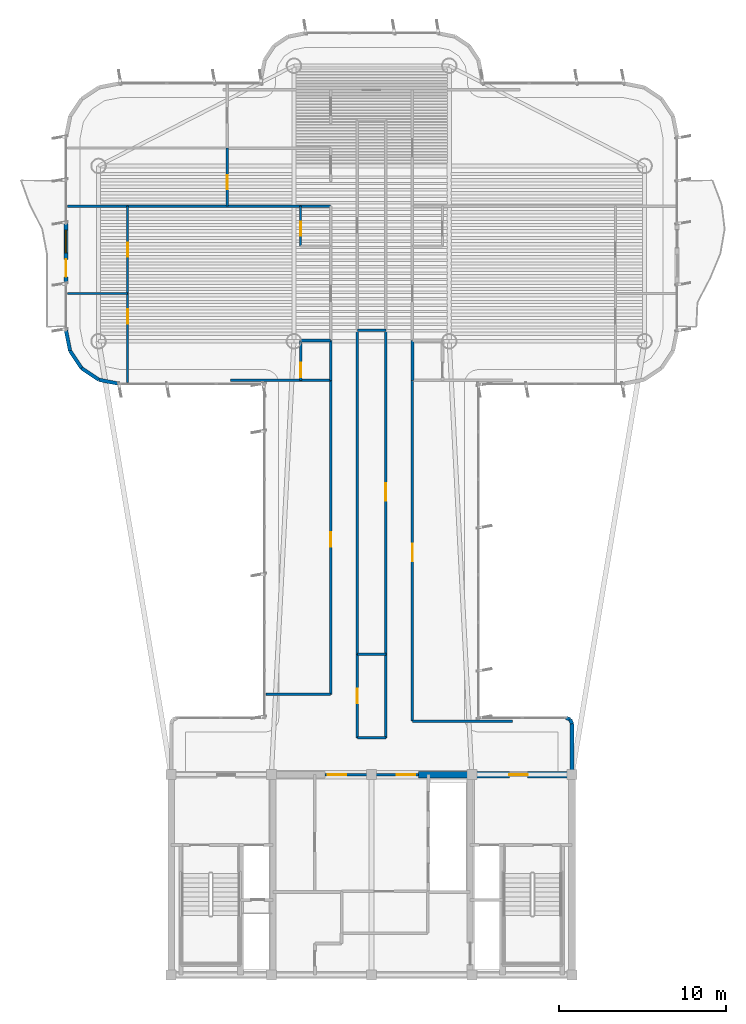
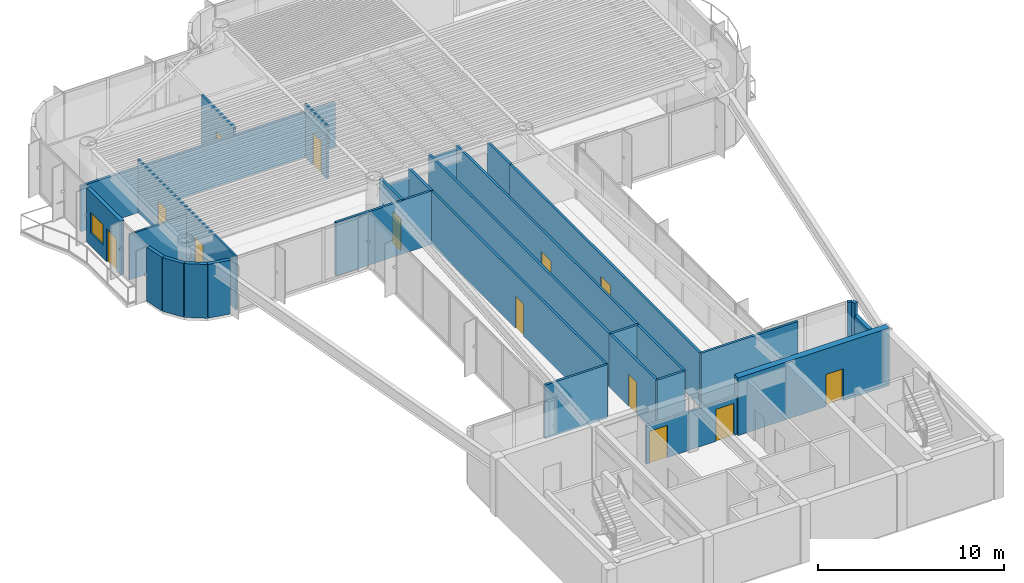
# One storey, part 11 of 15: 32 walls, 13 doors, 1 window, 14 openings.
"""IFC4 building model written with IfcOpenShell, lengths in metres."""

from ifc_helpers import new_model, si_unit, direction, frame, frame_2d, origin, origin_2d, place, context, subcontext, project, spatial, rectangle, extrude, source, transform, mapped, material, layer, layer_set, type_object, element, fill, save


model = new_model("IFC4")

# Units and contexts
model_context = context("Model", 3, precision=1e-05, world=origin(), true_north=direction((0.0, 1.0)))
body_context = subcontext(model_context, "Body", "Model", "MODEL_VIEW")
ifc_project = project(units=[si_unit("LENGTHUNIT", "METRE"), si_unit("AREAUNIT", "SQUARE_METRE"), si_unit("VOLUMEUNIT", "CUBIC_METRE"), si_unit("PLANEANGLEUNIT", "RADIAN"), si_unit("MASSUNIT", "GRAM", prefix="KILO")], contexts=[model_context])

# Site, building, storey
site_placement = place(None, origin())
site = spatial("IfcSite", under=ifc_project, at=site_placement, CompositionType="ELEMENT")
building_placement = place(site_placement, origin())
building = spatial("IfcBuilding", under=site, at=building_placement, Name="Brelvock Crest Care Tower", CompositionType="ELEMENT")
storey_placement = place(building_placement, frame((0.0, 0.0, 272.159912109375)))
storey = spatial("IfcBuildingStorey", under=building, at=storey_placement, Name="L69", CompositionType="ELEMENT", Elevation=272.159912109375)

# Wall, opening, door
ifc_material_1 = material(Name="Concrete S65 (65 MPa)", Category="concrete")
ifc_layer_1 = layer(ifc_material_1, 0.39990234375, Name="WL-CS4")
ifc_layer_set_1 = layer_set([ifc_layer_1], Name="Concrete S65 (65 MPa)")
wall_type_1 = type_object("IfcWallType", Name="WL-CS4", PredefinedType="SHEAR", material=ifc_layer_set_1)
wall_1_placement = place(storey_placement, frame((38.800048828125, 18.0, 0.0), z_axis=(0.0, 0.0, 1.0), x_axis=(1.0, 0.0, 0.0)))
wall_1 = element("IfcWall", 1, at=wall_1_placement, inside=storey, type_object=wall_type_1, Name="L69 Core North-East Shear Wall", PredefinedType="SHEAR", context=body_context, shape_type="SweptSolid", body=[
    extrude(rectangle(XDim=9.39990234375, YDim=0.39990234375, at=frame_2d((4.699951171875, 0.0))), origin(), (0.0, 0.0, 1.0), 3.780029296875),
])
opening_1_placement = place(wall_1_placement, frame((5.449951171875, 0.0, 0.0)))
opening_1 = element("IfcOpeningElement", 2, at=opening_1_placement, cuts=wall_1, Name="Opening FD-1", PredefinedType="OPENING", context=body_context, shape_type="SweptSolid", body=[
    extrude(rectangle(XDim=1.10009765625, YDim=2.10009765625, at=origin_2d()), frame((0.550048828125, 0.2099609375, 1.050048828125), z_axis=(0.0, -1.0, 0.0), x_axis=(1.0, 0.0, 0.0)), (0.0, 0.0, 1.0), 0.419921875),
])
ifc_material_2 = material(Name="Steel Grade 350", Category="steel")
door_type_1 = type_object("IfcDoorType", Name="DR-FFL1", OperationType="NOTDEFINED", PredefinedType="DOOR", material=ifc_material_2)
shared_shape_1 = source(origin(), body_context, "Body", "SweptSolid", [
    extrude(rectangle(XDim=1.10009765625, YDim=2.10009765625, at=origin_2d()), frame((0.550048828125, 0.02490234375, 1.050048828125), z_axis=(0.0, -1.0, 0.0), x_axis=(1.0, 0.0, 0.0)), (0.0, 0.0, 1.0), 0.050048828125),
])
door_1_placement = place(opening_1_placement, origin())
door_1 = element("IfcDoor", 3, at=door_1_placement, inside=storey, type_object=door_type_1, Name="L69 Firefighting Lobby FFL-2 Exit Door", OperationType="SINGLE_SWING_RIGHT", OverallHeight=2.10009765625, OverallWidth=1.10009765625, PredefinedType="DOOR", context=body_context, shape_type="MappedRepresentation", body=[
    mapped(shared_shape_1, transform((0.0, 0.0, 0.0), x_axis=(1.0, 0.0, 0.0), y_axis=(0.0, 1.0, 0.0), z_axis=(0.0, 0.0, 1.0), scale=1.0)),
])
fill(opening_1, door_1)

# Wall, openings, door, window
ifc_material_3 = material(Name="Precast concrete N40 (40 MPa)", Category="concrete")
ifc_layer_2 = layer(ifc_material_3, 0.239990234375, Name="WL-EX1")
ifc_layer_set_2 = layer_set([ifc_layer_2], Name="Precast concrete N40 (40 MPa)")
wall_type_2 = type_object("IfcWallType", Name="WL-EX1", PredefinedType="SOLIDWALL", material=ifc_layer_set_2)
wall_2_placement = place(storey_placement, frame((17.699951171875, 47.39990234375, 0.0), z_axis=(0.0, 0.0, 1.0), x_axis=(0.0, 1.0, 0.0)))
wall_2 = element("IfcWall", 4, at=wall_2_placement, inside=storey, type_object=wall_type_2, Name="L69 Exterior Spandrel Wall WL-BAL-L69-W", PredefinedType="SOLIDWALL", context=body_context, shape_type="SweptSolid", body=[
    extrude(rectangle(XDim=3.60009765625, YDim=0.239990234375, at=frame_2d((1.800048828125, 0.0))), origin(), (0.0, 0.0, 1.0), 3.530029296875),
])
opening_2_placement = place(wall_2_placement, frame((0.39990234375, 0.0, 0.0)))
opening_2 = element("IfcOpeningElement", 5, at=opening_2_placement, cuts=wall_2, Name="Opening BD-1", PredefinedType="OPENING", context=body_context, shape_type="SweptSolid", body=[
    extrude(rectangle(XDim=1.050048828125, YDim=2.14990234375, at=origin_2d()), frame((0.52490234375, 0.1298828125, 1.074951171875), z_axis=(0.0, -1.0, 0.0), x_axis=(1.0, 0.0, 0.0)), (0.0, 0.0, 1.0), 0.260009765625),
])
opening_3_placement = place(wall_2_placement, frame((1.85009765625, 0.0, 0.85009765625)))
opening_3 = element("IfcOpeningElement", 6, at=opening_3_placement, cuts=wall_2, Name="Opening W-01", PredefinedType="OPENING", context=body_context, shape_type="SweptSolid", body=[
    extrude(rectangle(XDim=1.35009765625, YDim=1.35009765625, at=origin_2d()), frame((0.675048828125, 0.1298828125, 0.675048828125), z_axis=(0.0, -1.0, 0.0), x_axis=(1.0, 0.0, 0.0)), (0.0, 0.0, 1.0), 0.260009765625),
])
ifc_material_4 = material(Name="Dark Glass Double Glazed Low-E", Category="glass")
door_type_2 = type_object("IfcDoorType", Name="DR-BAL1", OperationType="NOTDEFINED", PredefinedType="DOOR", material=ifc_material_4)
shared_shape_2 = source(origin(), body_context, "Body", "SweptSolid", [
    extrude(rectangle(XDim=1.050048828125, YDim=2.14990234375, at=origin_2d()), frame((0.52490234375, 0.02490234375, 1.074951171875), z_axis=(0.0, -1.0, 0.0), x_axis=(1.0, 0.0, 0.0)), (0.0, 0.0, 1.0), 0.050048828125),
])
door_2_placement = place(opening_2_placement, origin())
door_2 = element("IfcDoor", 7, at=door_2_placement, inside=storey, type_object=door_type_2, Name="L69 W Wave Balcony Glazed Door", OperationType="SINGLE_SWING_LEFT", OverallHeight=2.14990234375, OverallWidth=1.050048828125, PredefinedType="DOOR", context=body_context, shape_type="MappedRepresentation", body=[
    mapped(shared_shape_2, transform((0.0, 0.0, 0.0), x_axis=(1.0, 0.0, 0.0), y_axis=(0.0, 1.0, 0.0), z_axis=(0.0, 0.0, 1.0), scale=1.0)),
])
fill(opening_2, door_2)
window_type = type_object("IfcWindowType", Name="WN-EX1", PartitioningType="SINGLE_PANEL", PredefinedType="WINDOW", material=ifc_material_4)
shared_shape_3 = source(origin(), body_context, "Body", "SweptSolid", [
    extrude(rectangle(XDim=1.35009765625, YDim=1.35009765625, at=origin_2d()), frame((0.675048828125, 0.030029296875, 0.675048828125), z_axis=(0.0, -1.0, 0.0), x_axis=(1.0, 0.0, 0.0)), (0.0, 0.0, 1.0), 0.06005859375),
])
window_placement = place(opening_3_placement, origin())
window = element("IfcWindow", 8, at=window_placement, inside=storey, type_object=window_type, Name="L69 W Suite Casement Window", OverallHeight=1.35009765625, OverallWidth=1.35009765625, PartitioningType="SINGLE_PANEL", PredefinedType="WINDOW", context=body_context, shape_type="MappedRepresentation", body=[
    mapped(shared_shape_3, transform((0.0, 0.0, 0.0), x_axis=(1.0, 0.0, 0.0), y_axis=(0.0, 1.0, 0.0), z_axis=(0.0, 0.0, 1.0), scale=1.0)),
])
fill(opening_3, window)

# Walls
ifc_layer_3 = layer(ifc_material_3, 0.215087890625, Name="WL-EX2")
ifc_layer_set_3 = layer_set([ifc_layer_3], Name="Precast concrete N40 (40 MPa)")
wall_type_3 = type_object("IfcWallType", Name="WL-EX2", PredefinedType="SOLIDWALL", material=ifc_layer_set_3)
wall_3_placement = place(storey_placement, frame((47.8974609375, 21.297607421875, 0.0), z_axis=(0.0, 0.0, 1.0), x_axis=(0.382673670509, -0.923883575944, 0.0)))
element("IfcWall", 9, at=wall_3_placement, inside=storey, type_object=wall_type_3, Name="L69 Rounded Corner Wall 00", PredefinedType="SOLIDWALL", context=body_context, shape_type="SweptSolid", body=[
    extrude(rectangle(XDim=0.26806640625, YDim=0.215087890625, at=frame_2d((0.134033203125, 0.0))), origin(), (0.0, 0.0, 1.0), 3.530029296875),
])
wall_4_placement = place(storey_placement, frame((48.0, 21.050048828125, 0.0), z_axis=(0.0, 0.0, 1.0), x_axis=(0.0, -1.0, 0.0)))
element("IfcWall", 10, at=wall_4_placement, inside=storey, type_object=wall_type_3, Name="L69 Rounded Corner Wall 01", PredefinedType="SOLIDWALL", context=body_context, shape_type="SweptSolid", body=[
    extrude(rectangle(XDim=2.77001953125, YDim=0.215087890625, at=frame_2d((1.385009765625, 0.0))), origin(), (0.0, 0.0, 1.0), 2.718017578125),
])
for number, where, z_axis, x_axis, name in (
    (11, (20.89990234375, 41.39990234375, 0.0), (0.0, 0.0, 1.0), (-0.980775717779, 0.195138390419, 0.0), "L69 Rounded Corner Wall 13"),
    (12, (19.67529296875, 41.6435546875, 0.0), (0.0, 0.0, 1.0), (-0.831387912822, 0.555692485475, 0.0), "L69 Rounded Corner Wall 14"),
    (13, (18.63720703125, 42.33740234375, 0.0), (0.0, 0.0, 1.0), (-0.555557312883, 0.831478245117, 0.0), "L69 Rounded Corner Wall 15"),
    (14, (17.943603515625, 43.37548828125, 0.0), (0.0, 0.0, 1.0), (-0.195138390419, 0.980775717779, 0.0), "L69 Rounded Corner Wall 16"),
):
    element("IfcWall", number, at=place(storey_placement, frame(where, z_axis=z_axis, x_axis=x_axis)), inside=storey, type_object=wall_type_3, Name=name, PredefinedType="SOLIDWALL", context=body_context, shape_type="SweptSolid", body=[
        extrude(rectangle(XDim=1.24853515625, YDim=0.215087890625, at=frame_2d((0.624267578125, 0.0))), origin(), (0.0, 0.0, 1.0), 3.530029296875),
    ])
wall_5_placement = place(storey_placement, frame((47.64990234375, 21.39990234375, 0.0), z_axis=(0.0, 0.0, 1.0), x_axis=(0.924205486139, -0.381895560841, 0.0)))
element("IfcWall", 15, at=wall_5_placement, inside=storey, type_object=wall_type_3, Name="L69 Rounded Corner Wall 47", PredefinedType="SOLIDWALL", context=body_context, shape_type="SweptSolid", body=[
    extrude(rectangle(XDim=0.267822265625, YDim=0.215087890625, at=frame_2d((0.1337890625, 0.0))), origin(), (0.0, 0.0, 1.0), 3.530029296875),
])

# Wall, openings, doors
ifc_material_5 = material(Name="Masonry Blockwork Acoustic Partition", Category="masonry")
ifc_layer_4 = layer(ifc_material_5, 0.14990234375, Name="WL-INT1")
ifc_layer_set_4 = layer_set([ifc_layer_4], Name="Masonry Blockwork Acoustic Partition")
wall_type_4 = type_object("IfcWallType", Name="WL-INT1", PredefinedType="PARTITIONING", material=ifc_layer_set_4)
wall_6_placement = place(storey_placement, frame((33.199951171875, 18.0, 0.0), z_axis=(0.0, 0.0, 1.0), x_axis=(1.0, 0.0, 0.0)))
wall_6 = element("IfcWall", 16, at=wall_6_placement, inside=storey, type_object=wall_type_4, Name="L69 Interior Wall WL-CORE-NPORT-L69", PredefinedType="PARTITIONING", context=body_context, shape_type="SweptSolid", body=[
    extrude(rectangle(XDim=5.60009765625, YDim=0.14990234375, at=frame_2d((2.800048828125, 0.0))), origin(), (0.0, 0.0, 1.0), 2.51513671875),
])
opening_4_placement = place(wall_6_placement, frame((0.18994140625, 0.0, 0.0)))
opening_4 = element("IfcOpeningElement", 17, at=opening_4_placement, cuts=wall_6, Name="Opening FD-1", PredefinedType="OPENING", context=body_context, shape_type="SweptSolid", body=[
    extrude(rectangle(XDim=1.10009765625, YDim=2.10009765625, at=origin_2d()), frame((0.550048828125, 0.0849609375, 1.050048828125), z_axis=(0.0, -1.0, 0.0), x_axis=(1.0, 0.0, 0.0)), (0.0, 0.0, 1.0), 0.169921875),
])
opening_5_placement = place(wall_6_placement, frame((4.31005859375, 0.0, 0.0)))
opening_5 = element("IfcOpeningElement", 18, at=opening_5_placement, cuts=wall_6, Name="Opening FD-1", PredefinedType="OPENING", context=body_context, shape_type="SweptSolid", body=[
    extrude(rectangle(XDim=1.10009765625, YDim=2.10009765625, at=origin_2d()), frame((0.550048828125, 0.0849609375, 1.050048828125), z_axis=(0.0, -1.0, 0.0), x_axis=(1.0, 0.0, 0.0)), (0.0, 0.0, 1.0), 0.169921875),
])
door_3_placement = place(opening_4_placement, origin())
door_3 = element("IfcDoor", 19, at=door_3_placement, inside=storey, type_object=door_type_1, Name="L69 Lift Lobby North Smoke Door West", OperationType="SINGLE_SWING_LEFT", OverallHeight=2.10009765625, OverallWidth=1.10009765625, PredefinedType="DOOR", context=body_context, shape_type="MappedRepresentation", body=[
    mapped(shared_shape_1, transform((0.0, 0.0, 0.0), x_axis=(1.0, 0.0, 0.0), y_axis=(0.0, 1.0, 0.0), z_axis=(0.0, 0.0, 1.0), scale=1.0)),
])
fill(opening_4, door_3)
door_4_placement = place(opening_5_placement, origin())
door_4 = element("IfcDoor", 20, at=door_4_placement, inside=storey, type_object=door_type_1, Name="L69 Lift Lobby North Smoke Door East", OperationType="SINGLE_SWING_RIGHT", OverallHeight=2.10009765625, OverallWidth=1.10009765625, PredefinedType="DOOR", context=body_context, shape_type="MappedRepresentation", body=[
    mapped(shared_shape_1, transform((0.0, 0.0, 0.0), x_axis=(1.0, 0.0, 0.0), y_axis=(0.0, 1.0, 0.0), z_axis=(0.0, 0.0, 1.0), scale=1.0)),
])
fill(opening_5, door_4)

# Walls
wall_7_placement = place(storey_placement, frame((38.449951171875, 21.199951171875, 0.0), z_axis=(0.0, 0.0, 1.0), x_axis=(1.0, 0.0, 0.0)))
element("IfcWall", 21, at=wall_7_placement, inside=storey, type_object=wall_type_4, Name="L69 Interior Wall WL-BX-L69-THRE-S", PredefinedType="PARTITIONING", context=body_context, shape_type="SweptSolid", body=[
    extrude(rectangle(XDim=5.9931640625, YDim=0.14990234375, at=frame_2d((2.99658203125, 0.0))), origin(), (0.0, 0.0, 1.0), 3.5),
])
wall_8_placement = place(storey_placement, frame((29.678466796875, 22.800048828125, 0.0), z_axis=(0.0, 0.0, 1.0), x_axis=(1.0, 0.0, 0.0)))
element("IfcWall", 22, at=wall_8_placement, inside=storey, type_object=wall_type_4, Name="L69 Interior Wall WL-BX-L69-THRW-S", PredefinedType="PARTITIONING", context=body_context, shape_type="SweptSolid", body=[
    extrude(rectangle(XDim=3.87158203125, YDim=0.14990234375, at=frame_2d((1.935791015625, 0.0))), origin(), (0.0, 0.0, 1.0), 3.5),
])
wall_9_placement = place(storey_placement, frame((27.557861328125, 41.60009765625, 0.0), z_axis=(0.0, 0.0, 1.0), x_axis=(1.0, 0.0, 0.0)))
element("IfcWall", 23, at=wall_9_placement, inside=storey, type_object=wall_type_4, Name="L69 Interior Wall WL-BX-L69-FL-WF1-S2", PredefinedType="PARTITIONING", context=body_context, shape_type="SweptSolid", body=[
    extrude(rectangle(XDim=5.9921875, YDim=0.14990234375, at=frame_2d((2.99609375, 0.0))), origin(), (0.0, 0.0, 1.0), 3.5),
])
wall_10_placement = place(storey_placement, frame((35.14990234375, 44.6201171875, 0.0), z_axis=(0.0, 0.0, 1.0), x_axis=(1.0, 0.0, 0.0)))
element("IfcWall", 24, at=wall_10_placement, inside=storey, type_object=wall_type_4, Name="L69 Interior Wall WL-BX-L69-ISKT-S", PredefinedType="PARTITIONING", context=body_context, shape_type="SweptSolid", body=[
    extrude(rectangle(XDim=1.7001953125, YDim=0.14990234375, at=frame_2d((0.85009765625, 0.0))), origin(), (0.0, 0.0, 1.0), 3.259033203125),
])
wall_11_placement = place(storey_placement, frame((17.780029296875, 52.0400390625, 0.0), z_axis=(0.0, 0.0, 1.0), x_axis=(1.0, 0.0, 0.0)))
element("IfcWall", 25, at=wall_11_placement, inside=storey, type_object=wall_type_4, Name="L69 Interior Wall WL-BX-L69-FL-WF1-N", PredefinedType="PARTITIONING", context=body_context, shape_type="SweptSolid", body=[
    extrude(rectangle(XDim=15.77001953125, YDim=0.14990234375, at=frame_2d((7.885009765625, 0.0))), origin(), (0.0, 0.0, 1.0), 2.982177734375),
])

# Wall, opening, door
wall_12_placement = place(storey_placement, frame((27.35009765625, 52.0400390625, 0.0), z_axis=(0.0, 0.0, 1.0), x_axis=(0.0, 1.0, 0.0)))
wall_12 = element("IfcWall", 26, at=wall_12_placement, inside=storey, type_object=wall_type_4, Name="L69 Interior Wall WL-RM-L69-WFC2AS", PredefinedType="PARTITIONING", context=body_context, shape_type="SweptSolid", body=[
    extrude(rectangle(XDim=3.47998046875, YDim=0.14990234375, at=frame_2d((1.739990234375, 0.0))), origin(), (0.0, 0.0, 1.0), 3.5),
])
opening_6_placement = place(wall_12_placement, frame((1.0, 0.0, 0.0)))
opening_6 = element("IfcOpeningElement", 27, at=opening_6_placement, cuts=wall_12, Name="Opening ID-1", PredefinedType="OPENING", context=body_context, shape_type="SweptSolid", body=[
    extrude(rectangle(XDim=0.860107421875, YDim=2.10009765625, at=origin_2d()), frame((0.43017578125, 0.0849609375, 1.050048828125), z_axis=(0.0, -1.0, 0.0), x_axis=(1.0, 0.0, 0.0)), (0.0, 0.0, 1.0), 0.169921875),
])
ifc_material_6 = material(Name="Engineered Hardwood Timber", Category="wood")
door_type_3 = type_object("IfcDoorType", Name="DR-INT1", OperationType="NOTDEFINED", PredefinedType="DOOR", material=ifc_material_6)
shared_shape_4 = source(origin(), body_context, "Body", "SweptSolid", [
    extrude(rectangle(XDim=0.860107421875, YDim=2.10009765625, at=origin_2d()), frame((0.43017578125, 0.02490234375, 1.050048828125), z_axis=(0.0, -1.0, 0.0), x_axis=(1.0, 0.0, 0.0)), (0.0, 0.0, 1.0), 0.050048828125),
])
door_5_placement = place(opening_6_placement, origin())
door_5 = element("IfcDoor", 28, at=door_5_placement, inside=storey, type_object=door_type_3, Name="L69 Assisted Care Mobility Store Door WFC2AS", OperationType="SINGLE_SWING_LEFT", OverallHeight=2.10009765625, OverallWidth=0.860107421875, PredefinedType="DOOR", context=body_context, shape_type="MappedRepresentation", body=[
    mapped(shared_shape_4, transform((0.0, 0.0, 0.0), x_axis=(1.0, 0.0, 0.0), y_axis=(0.0, 1.0, 0.0), z_axis=(0.0, 0.0, 1.0), scale=1.0)),
])
fill(opening_6, door_5)

wall_13_placement = place(storey_placement, frame((33.550048828125, 22.800048828125, 0.0), z_axis=(0.0, 0.0, 1.0), x_axis=(0.0, 1.0, 0.0)))
wall_13 = element("IfcWall", 29, at=wall_13_placement, inside=storey, type_object=wall_type_4, Name="L69 Interior Wall WL-RM-L69-THRW", PredefinedType="PARTITIONING", context=body_context, shape_type="SweptSolid", body=[
    extrude(rectangle(XDim=18.800048828125, YDim=0.14990234375, at=frame_2d((9.39990234375, 0.0))), origin(), (0.0, 0.0, 1.0), 3.5),
])
opening_7_placement = place(wall_13_placement, frame((8.840087890625, 0.0, 0.0)))
opening_7 = element("IfcOpeningElement", 30, at=opening_7_placement, cuts=wall_13, Name="Opening ID-1", PredefinedType="OPENING", context=body_context, shape_type="SweptSolid", body=[
    extrude(rectangle(XDim=0.860107421875, YDim=2.10009765625, at=origin_2d()), frame((0.43017578125, 0.0849609375, 1.050048828125), z_axis=(0.0, -1.0, 0.0), x_axis=(1.0, 0.0, 0.0)), (0.0, 0.0, 1.0), 0.169921875),
])
door_6_placement = place(opening_7_placement, origin())
door_6 = element("IfcDoor", 31, at=door_6_placement, inside=storey, type_object=door_type_3, Name="L69 Quiet Family Consultation Room Door THRW", OperationType="SINGLE_SWING_LEFT", OverallHeight=2.10009765625, OverallWidth=0.860107421875, PredefinedType="DOOR", context=body_context, shape_type="MappedRepresentation", body=[
    mapped(shared_shape_4, transform((0.0, 0.0, 0.0), x_axis=(1.0, 0.0, 0.0), y_axis=(0.0, 1.0, 0.0), z_axis=(0.0, 0.0, 1.0), scale=1.0)),
])
fill(opening_7, door_6)

# Wall
wall_14_placement = place(storey_placement, frame((35.14990234375, 25.199951171875, 0.0), z_axis=(0.0, 0.0, 1.0), x_axis=(0.0, 1.0, 0.0)))
element("IfcWall", 32, at=wall_14_placement, inside=storey, type_object=wall_type_4, Name="L69 Interior Wall WL-BX-L69-ISNS-W", PredefinedType="PARTITIONING", context=body_context, shape_type="SweptSolid", body=[
    extrude(rectangle(XDim=19.420166015625, YDim=0.14990234375, at=frame_2d((9.7099609375, 0.0))), origin(), (0.0, 0.0, 1.0), 3.5),
])

# Wall, opening, door
wall_15_placement = place(storey_placement, frame((36.85009765625, 25.199951171875, 0.0), z_axis=(0.0, 0.0, 1.0), x_axis=(0.0, 1.0, 0.0)))
wall_15 = element("IfcWall", 33, at=wall_15_placement, inside=storey, type_object=wall_type_4, Name="L69 Interior Wall WL-RM-L69-ISNS", PredefinedType="PARTITIONING", context=body_context, shape_type="SweptSolid", body=[
    extrude(rectangle(XDim=19.420166015625, YDim=0.14990234375, at=frame_2d((9.7099609375, 0.0))), origin(), (0.0, 0.0, 1.0), 3.5),
])
opening_8_placement = place(wall_15_placement, frame((9.18505859375, 0.0, 0.0)))
opening_8 = element("IfcOpeningElement", 34, at=opening_8_placement, cuts=wall_15, Name="Opening CLD-1", PredefinedType="OPENING", context=body_context, shape_type="SweptSolid", body=[
    extrude(rectangle(XDim=1.050048828125, YDim=2.10009765625, at=origin_2d()), frame((0.52490234375, 0.0849609375, 1.050048828125), z_axis=(0.0, -1.0, 0.0), x_axis=(1.0, 0.0, 0.0)), (0.0, 0.0, 1.0), 0.169921875),
])
door_type_4 = type_object("IfcDoorType", Name="DR-CLN1", OperationType="NOTDEFINED", PredefinedType="DOOR", material=ifc_material_6)
shared_shape_5 = source(origin(), body_context, "Body", "SweptSolid", [
    extrude(rectangle(XDim=1.050048828125, YDim=2.10009765625, at=origin_2d()), frame((0.52490234375, 0.02490234375, 1.050048828125), z_axis=(0.0, -1.0, 0.0), x_axis=(1.0, 0.0, 0.0)), (0.0, 0.0, 1.0), 0.050048828125),
])
door_7_placement = place(opening_8_placement, origin())
door_7 = element("IfcDoor", 35, at=door_7_placement, inside=storey, type_object=door_type_4, Name="L69 Care Concierge and Triage Station Door ISNS", OperationType="SINGLE_SWING_LEFT", OverallHeight=2.10009765625, OverallWidth=1.050048828125, PredefinedType="DOOR", context=body_context, shape_type="MappedRepresentation", body=[
    mapped(shared_shape_5, transform((0.0, 0.0, 0.0), x_axis=(1.0, 0.0, 0.0), y_axis=(0.0, 1.0, 0.0), z_axis=(0.0, 0.0, 1.0), scale=1.0)),
])
fill(opening_8, door_7)

wall_16_placement = place(storey_placement, frame((38.449951171875, 21.199951171875, 0.0), z_axis=(0.0, 0.0, 1.0), x_axis=(0.0, 1.0, 0.0)))
wall_16 = element("IfcWall", 36, at=wall_16_placement, inside=storey, type_object=wall_type_4, Name="L69 Interior Wall WL-RM-L69-THRE", PredefinedType="PARTITIONING", context=body_context, shape_type="SweptSolid", body=[
    extrude(rectangle(XDim=20.400146484375, YDim=0.14990234375, at=frame_2d((10.2001953125, 0.0))), origin(), (0.0, 0.0, 1.0), 3.5),
])
opening_9_placement = place(wall_16_placement, frame((9.574951171875, 0.0, 0.0)))
opening_9 = element("IfcOpeningElement", 37, at=opening_9_placement, cuts=wall_16, Name="Opening CLD-1", PredefinedType="OPENING", context=body_context, shape_type="SweptSolid", body=[
    extrude(rectangle(XDim=1.050048828125, YDim=2.10009765625, at=origin_2d()), frame((0.52490234375, 0.0849609375, 1.050048828125), z_axis=(0.0, -1.0, 0.0), x_axis=(1.0, 0.0, 0.0)), (0.0, 0.0, 1.0), 0.169921875),
])
door_8_placement = place(opening_9_placement, origin())
door_8 = element("IfcDoor", 38, at=door_8_placement, inside=storey, type_object=door_type_4, Name="L69 Allied Health Therapy Room Door THRE", OperationType="SINGLE_SWING_LEFT", OverallHeight=2.10009765625, OverallWidth=1.050048828125, PredefinedType="DOOR", context=body_context, shape_type="MappedRepresentation", body=[
    mapped(shared_shape_5, transform((0.0, 0.0, 0.0), x_axis=(1.0, 0.0, 0.0), y_axis=(0.0, 1.0, 0.0), z_axis=(0.0, 0.0, 1.0), scale=1.0)),
])
fill(opening_9, door_8)

# Wall
ifc_material_7 = material(Name="Gypsum Plasterboard Partition", Category="gypsum")
ifc_layer_5 = layer(ifc_material_7, 0.1201171875, Name="WL-INT2")
ifc_layer_set_5 = layer_set([ifc_layer_5], Name="Gypsum Plasterboard Partition")
wall_type_5 = type_object("IfcWallType", Name="WL-INT2", PredefinedType="PARTITIONING", material=ifc_layer_set_5)
wall_17_placement = place(storey_placement, frame((17.780029296875, 46.820068359375, 0.0), z_axis=(0.0, 0.0, 1.0), x_axis=(1.0, 0.0, 0.0)))
element("IfcWall", 39, at=wall_17_placement, inside=storey, type_object=wall_type_5, Name="L69 Interior Wall WL-UBSP-L69-WF1", PredefinedType="PARTITIONING", context=body_context, shape_type="SweptSolid", body=[
    extrude(rectangle(XDim=3.60986328125, YDim=0.1201171875, at=frame_2d((1.804931640625, 0.0))), origin(), (0.0, 0.0, 1.0), 2.982177734375),
])

# Wall, opening, door
wall_18_placement = place(storey_placement, frame((21.389892578125, 41.47998046875, 0.0), z_axis=(0.0, 0.0, 1.0), x_axis=(0.0, 1.0, 0.0)))
wall_18 = element("IfcWall", 40, at=wall_18_placement, inside=storey, type_object=wall_type_5, Name="L69 Interior Wall WL-UBD1-L69-WF1", PredefinedType="PARTITIONING", context=body_context, shape_type="SweptSolid", body=[
    extrude(rectangle(XDim=5.340087890625, YDim=0.1201171875, at=frame_2d((2.669921875, 0.0))), origin(), (0.0, 0.0, 1.0), 3.5),
])
opening_10_placement = place(wall_18_placement, frame((3.52001953125, 0.0, 0.0)))
opening_10 = element("IfcOpeningElement", 41, at=opening_10_placement, cuts=wall_18, Name="Opening ID-1", PredefinedType="OPENING", context=body_context, shape_type="SweptSolid", body=[
    extrude(rectangle(XDim=0.860107421875, YDim=2.10009765625, at=origin_2d()), frame((0.43017578125, 0.070068359375, 1.050048828125), z_axis=(0.0, -1.0, 0.0), x_axis=(1.0, 0.0, 0.0)), (0.0, 0.0, 1.0), 0.14013671875),
])
door_9_placement = place(opening_10_placement, origin())
door_9 = element("IfcDoor", 42, at=door_9_placement, inside=storey, type_object=door_type_3, Name="L69 Primary Bedroom Door WF1", OperationType="SINGLE_SWING_RIGHT", OverallHeight=2.10009765625, OverallWidth=0.860107421875, PredefinedType="DOOR", context=body_context, shape_type="MappedRepresentation", body=[
    mapped(shared_shape_4, transform((0.0, 0.0, 0.0), x_axis=(1.0, 0.0, 0.0), y_axis=(0.0, 1.0, 0.0), z_axis=(0.0, 0.0, 1.0), scale=1.0)),
])
fill(opening_10, door_9)

wall_19_placement = place(storey_placement, frame((21.389892578125, 46.820068359375, 0.0), z_axis=(0.0, 0.0, 1.0), x_axis=(0.0, 1.0, 0.0)))
wall_19 = element("IfcWall", 43, at=wall_19_placement, inside=storey, type_object=wall_type_5, Name="L69 Interior Wall WL-UBD2-L69-WF1", PredefinedType="PARTITIONING", context=body_context, shape_type="SweptSolid", body=[
    extrude(rectangle(XDim=5.219970703125, YDim=0.1201171875, at=frame_2d((2.60986328125, 0.0))), origin(), (0.0, 0.0, 1.0), 3.5),
])
opening_11_placement = place(wall_19_placement, frame((2.179931640625, 0.0, 0.0)))
opening_11 = element("IfcOpeningElement", 44, at=opening_11_placement, cuts=wall_19, Name="Opening ID-1", PredefinedType="OPENING", context=body_context, shape_type="SweptSolid", body=[
    extrude(rectangle(XDim=0.860107421875, YDim=2.10009765625, at=origin_2d()), frame((0.43017578125, 0.070068359375, 1.050048828125), z_axis=(0.0, -1.0, 0.0), x_axis=(1.0, 0.0, 0.0)), (0.0, 0.0, 1.0), 0.14013671875),
])
door_10_placement = place(opening_11_placement, origin())
door_10 = element("IfcDoor", 45, at=door_10_placement, inside=storey, type_object=door_type_3, Name="L69 Second Room Door WF1", OperationType="SINGLE_SWING_LEFT", OverallHeight=2.10009765625, OverallWidth=0.860107421875, PredefinedType="DOOR", context=body_context, shape_type="MappedRepresentation", body=[
    mapped(shared_shape_4, transform((0.0, 0.0, 0.0), x_axis=(1.0, 0.0, 0.0), y_axis=(0.0, 1.0, 0.0), z_axis=(0.0, 0.0, 1.0), scale=1.0)),
])
fill(opening_11, door_10)

wall_20_placement = place(storey_placement, frame((31.75, 49.639892578125, 0.0), z_axis=(0.0, 0.0, 1.0), x_axis=(0.0, 1.0, 0.0)))
wall_20 = element("IfcWall", 46, at=wall_20_placement, inside=storey, type_object=wall_type_5, Name="L69 Interior Wall WL-UKIT1-L69-WF1", PredefinedType="PARTITIONING", context=body_context, shape_type="SweptSolid", body=[
    extrude(rectangle(XDim=2.400146484375, YDim=0.1201171875, at=frame_2d((1.2001953125, 0.0))), origin(), (0.0, 0.0, 1.0), 3.5),
])
opening_12_placement = place(wall_20_placement, frame((0.6201171875, 0.0, 0.0)))
opening_12 = element("IfcOpeningElement", 47, at=opening_12_placement, cuts=wall_20, Name="Opening ID-1", PredefinedType="OPENING", context=body_context, shape_type="SweptSolid", body=[
    extrude(rectangle(XDim=0.860107421875, YDim=2.10009765625, at=origin_2d()), frame((0.43017578125, 0.070068359375, 1.050048828125), z_axis=(0.0, -1.0, 0.0), x_axis=(1.0, 0.0, 0.0)), (0.0, 0.0, 1.0), 0.14013671875),
])
door_11_placement = place(opening_12_placement, origin())
door_11 = element("IfcDoor", 48, at=door_11_placement, inside=storey, type_object=door_type_3, Name="L69 Kitchen Door WF1", OperationType="SINGLE_SWING_LEFT", OverallHeight=2.10009765625, OverallWidth=0.860107421875, PredefinedType="DOOR", context=body_context, shape_type="MappedRepresentation", body=[
    mapped(shared_shape_4, transform((0.0, 0.0, 0.0), x_axis=(1.0, 0.0, 0.0), y_axis=(0.0, 1.0, 0.0), z_axis=(0.0, 0.0, 1.0), scale=1.0)),
])
fill(opening_12, door_11)

# Walls
ifc_layer_6 = layer(ifc_material_7, 0.159912109375, Name="WL-PLM1")
ifc_layer_set_6 = layer_set([ifc_layer_6], Name="Gypsum Plasterboard Partition")
wall_type_6 = type_object("IfcWallType", Name="WL-PLM1", PredefinedType="PLUMBINGWALL", material=ifc_layer_set_6)
for number, where, z_axis, x_axis, name in (
    (49, (35.14990234375, 20.199951171875, 0.0), (0.0, 0.0, 1.0), (1.0, 0.0, 0.0), "L69 Interior Wall WL-BX-L69-ISWC-S"),
    (50, (35.14990234375, 25.199951171875, 0.0), (0.0, 0.0, 1.0), (1.0, 0.0, 0.0), "L69 Interior Wall WL-BX-L69-ISNS-S"),
):
    element("IfcWall", number, at=place(storey_placement, frame(where, z_axis=z_axis, x_axis=x_axis)), inside=storey, type_object=wall_type_6, Name=name, PredefinedType="PLUMBINGWALL", context=body_context, shape_type="SweptSolid", body=[
        extrude(rectangle(XDim=1.7001953125, YDim=0.159912109375, at=frame_2d((0.85009765625, 0.0))), origin(), (0.0, 0.0, 1.0), 3.5),
    ])
wall_21_placement = place(storey_placement, frame((31.75, 44.0, 0.0), z_axis=(0.0, 0.0, 1.0), x_axis=(1.0, 0.0, 0.0)))
element("IfcWall", 51, at=wall_21_placement, inside=storey, type_object=wall_type_6, Name="L69 Interior Wall WL-UBTH2-L69-WF1", PredefinedType="PLUMBINGWALL", context=body_context, shape_type="SweptSolid", body=[
    extrude(rectangle(XDim=1.800048828125, YDim=0.159912109375, at=frame_2d((0.89990234375, 0.0))), origin(), (0.0, 0.0, 1.0), 2.903076171875),
])

# Wall, opening, door
wall_22_placement = place(storey_placement, frame((31.75, 41.60009765625, 0.0), z_axis=(0.0, 0.0, 1.0), x_axis=(0.0, 1.0, 0.0)))
wall_22 = element("IfcWall", 52, at=wall_22_placement, inside=storey, type_object=wall_type_6, Name="L69 Interior Wall WL-UBTH1-L69-WF1", PredefinedType="PLUMBINGWALL", context=body_context, shape_type="SweptSolid", body=[
    extrude(rectangle(XDim=2.39990234375, YDim=0.159912109375, at=frame_2d((1.199951171875, 0.0))), origin(), (0.0, 0.0, 1.0), 3.5),
])
opening_13_placement = place(wall_22_placement, frame((0.199951171875, 0.0, 0.0)))
opening_13 = element("IfcOpeningElement", 53, at=opening_13_placement, cuts=wall_22, Name="Opening WD-1", PredefinedType="OPENING", context=body_context, shape_type="SweptSolid", body=[
    extrude(rectangle(XDim=0.860107421875, YDim=2.10009765625, at=origin_2d()), frame((0.43017578125, 0.08984375, 1.050048828125), z_axis=(0.0, -1.0, 0.0), x_axis=(1.0, 0.0, 0.0)), (0.0, 0.0, 1.0), 0.179931640625),
])
door_type_5 = type_object("IfcDoorType", Name="DR-WC1", OperationType="NOTDEFINED", PredefinedType="DOOR", material=ifc_material_6)
shared_shape_6 = source(origin(), body_context, "Body", "SweptSolid", [
    extrude(rectangle(XDim=0.860107421875, YDim=2.10009765625, at=origin_2d()), frame((0.43017578125, 0.02490234375, 1.050048828125), z_axis=(0.0, -1.0, 0.0), x_axis=(1.0, 0.0, 0.0)), (0.0, 0.0, 1.0), 0.050048828125),
])
door_12_placement = place(opening_13_placement, origin())
door_12 = element("IfcDoor", 54, at=door_12_placement, inside=storey, type_object=door_type_5, Name="L69 Bathroom Door WF1", OperationType="SINGLE_SWING_LEFT", OverallHeight=2.10009765625, OverallWidth=0.860107421875, PredefinedType="DOOR", context=body_context, shape_type="MappedRepresentation", body=[
    mapped(shared_shape_6, transform((0.0, 0.0, 0.0), x_axis=(1.0, 0.0, 0.0), y_axis=(0.0, 1.0, 0.0), z_axis=(0.0, 0.0, 1.0), scale=1.0)),
])
fill(opening_13, door_12)

# Wall
wall_23_placement = place(storey_placement, frame((33.550048828125, 41.60009765625, 0.0), z_axis=(0.0, 0.0, 1.0), x_axis=(0.0, 1.0, 0.0)))
element("IfcWall", 55, at=wall_23_placement, inside=storey, type_object=wall_type_6, Name="L69 Interior Wall WL-UCB-L69-WF1", PredefinedType="PLUMBINGWALL", context=body_context, shape_type="SweptSolid", body=[
    extrude(rectangle(XDim=2.39990234375, YDim=0.159912109375, at=frame_2d((1.199951171875, 0.0))), origin(), (0.0, 0.0, 1.0), 3.5),
])

# Wall, opening, door
wall_24_placement = place(storey_placement, frame((35.14990234375, 20.199951171875, 0.0), z_axis=(0.0, 0.0, 1.0), x_axis=(0.0, 1.0, 0.0)))
wall_24 = element("IfcWall", 56, at=wall_24_placement, inside=storey, type_object=wall_type_6, Name="L69 Interior Wall WL-RM-L69-ISWC", PredefinedType="PLUMBINGWALL", context=body_context, shape_type="SweptSolid", body=[
    extrude(rectangle(XDim=5.0, YDim=0.159912109375, at=frame_2d((2.5, 0.0))), origin(), (0.0, 0.0, 1.0), 3.5),
])
opening_14_placement = place(wall_24_placement, frame((2.070068359375, 0.0, 0.0)))
opening_14 = element("IfcOpeningElement", 57, at=opening_14_placement, cuts=wall_24, Name="Opening WD-1", PredefinedType="OPENING", context=body_context, shape_type="SweptSolid", body=[
    extrude(rectangle(XDim=0.860107421875, YDim=2.10009765625, at=origin_2d()), frame((0.43017578125, 0.08984375, 1.050048828125), z_axis=(0.0, -1.0, 0.0), x_axis=(1.0, 0.0, 0.0)), (0.0, 0.0, 1.0), 0.179931640625),
])
door_13_placement = place(opening_14_placement, origin())
door_13 = element("IfcDoor", 58, at=door_13_placement, inside=storey, type_object=door_type_5, Name="L69 High-Zone Accessible WC Door ISWC", OperationType="SINGLE_SWING_LEFT", OverallHeight=2.10009765625, OverallWidth=0.860107421875, PredefinedType="DOOR", context=body_context, shape_type="MappedRepresentation", body=[
    mapped(shared_shape_6, transform((0.0, 0.0, 0.0), x_axis=(1.0, 0.0, 0.0), y_axis=(0.0, 1.0, 0.0), z_axis=(0.0, 0.0, 1.0), scale=1.0)),
])
fill(opening_14, door_13)

# Walls
wall_25_placement = place(storey_placement, frame((36.85009765625, 20.199951171875, 0.0), z_axis=(0.0, 0.0, 1.0), x_axis=(0.0, 1.0, 0.0)))
element("IfcWall", 59, at=wall_25_placement, inside=storey, type_object=wall_type_6, Name="L69 Interior Wall WL-BX-L69-ISWC-E", PredefinedType="PLUMBINGWALL", context=body_context, shape_type="SweptSolid", body=[
    extrude(rectangle(XDim=5.0, YDim=0.159912109375, at=frame_2d((2.5, 0.0))), origin(), (0.0, 0.0, 1.0), 3.5),
])
wall_26_placement = place(storey_placement, frame((38.449951171875, 41.60009765625, 0.0), z_axis=(0.0, 0.0, 1.0), x_axis=(0.0, 1.0, 0.0)))
element("IfcWall", 60, at=wall_26_placement, inside=storey, type_object=wall_type_6, Name="L69 Interior Wall WL-UCB-L69-EF1", PredefinedType="PLUMBINGWALL", context=body_context, shape_type="SweptSolid", body=[
    extrude(rectangle(XDim=2.39990234375, YDim=0.159912109375, at=frame_2d((1.199951171875, 0.0))), origin(), (0.0, 0.0, 1.0), 3.5),
])

save(model, "model.ifc")
